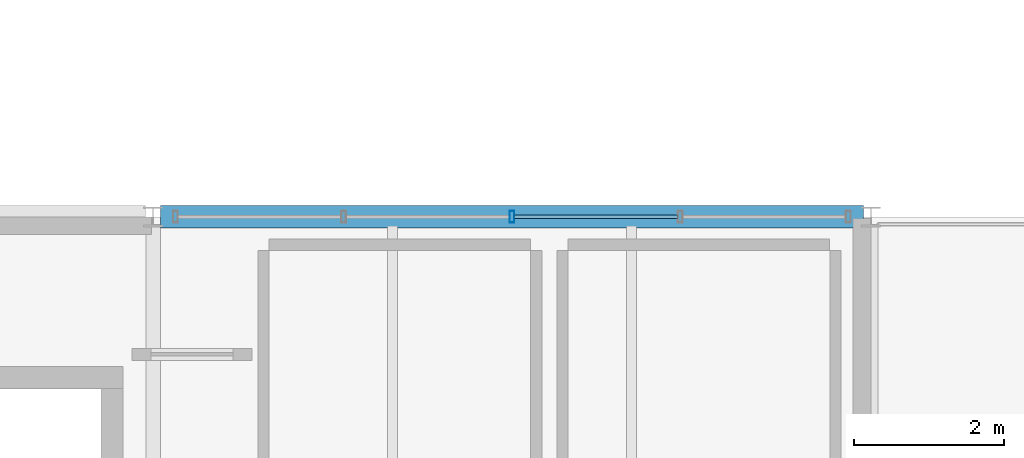
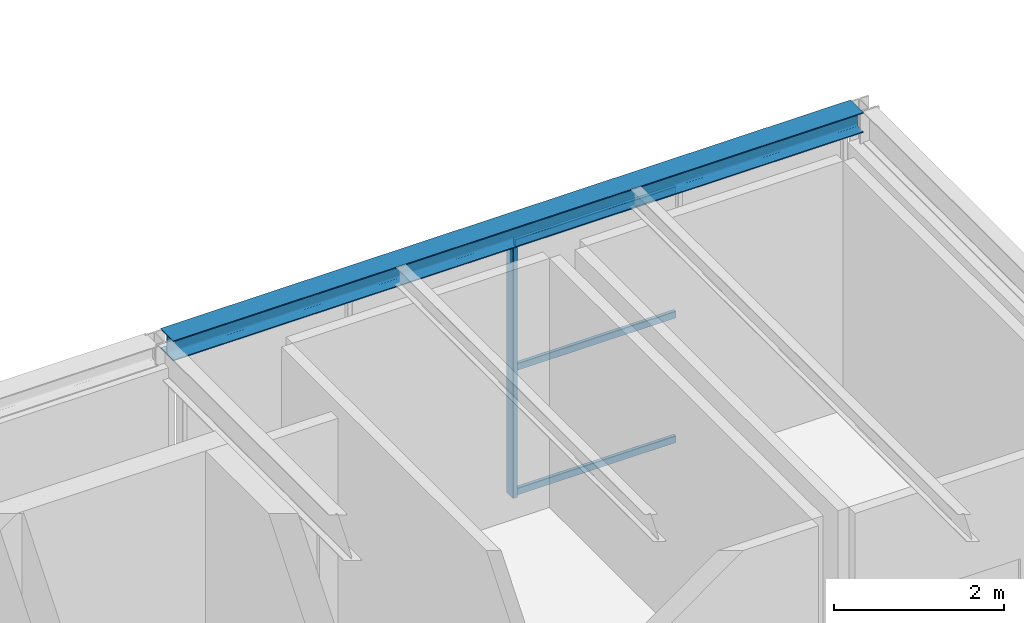
# One storey, part 27 of 39: 4 members, 1 beam, 1 element without a shape of its own.
"""IFC4 building model written with IfcOpenShell, lengths in metres."""

from ifc_helpers import new_model, si_unit, direction, frame, origin, origin_2d, place, context, subcontext, project, spatial, hollow_rectangle, i_section, extrude, material, material_profile, profile_set, type_object, element, aggregate, save


model = new_model("IFC4")

# Units and contexts
model_context = context("Model", 3, precision=1e-05, world=origin(), true_north=direction((0.0, 1.0)))
body_context = subcontext(model_context, "Body", "Model", "MODEL_VIEW")
ifc_project = project(units=[si_unit("LENGTHUNIT", "METRE"), si_unit("AREAUNIT", "SQUARE_METRE"), si_unit("VOLUMEUNIT", "CUBIC_METRE"), si_unit("PLANEANGLEUNIT", "RADIAN"), si_unit("MASSUNIT", "GRAM", prefix="KILO")], contexts=[model_context])

# Site, building, storey
site_placement = place(None, origin())
site = spatial("IfcSite", under=ifc_project, at=site_placement, CompositionType="ELEMENT")
building_placement = place(site_placement, origin())
building = spatial("IfcBuilding", under=site, at=building_placement, Name="Coralgate Yard Interchange", CompositionType="ELEMENT")
storey_placement = place(building_placement, frame((0.0, 0.0, 18.89990234375)))
storey = spatial("IfcBuildingStorey", under=building, at=storey_placement, Name="L04", CompositionType="ELEMENT", Elevation=18.89990234375)

# Beam
ifc_material_1 = material(Name="Structural steel S355J2", Category="steel")
ifc_material_profile_1 = material_profile(ifc_material_1, i_section(OverallWidth=0.300048828125, OverallDepth=0.2900390625, WebThickness=0.008544921875, FlangeThickness=0.013916015625, FilletRadius=0.027099609375, at=origin_2d()), Name="HEA 300")
ifc_profile_set_1 = profile_set([ifc_material_profile_1], Name="Structural steel S355J2")
beam_type = type_object("IfcBeamType", Name="BM-SP-2", PredefinedType="SPANDREL", material=ifc_profile_set_1)
beam_placement = place(storey_placement, frame((57.699462890625, 19.199951171875, 3.80517578125), z_axis=(1.0, 0.0, 0.0), x_axis=(0.0, 1.0, 0.0)))
element("IfcBeam", 1, at=beam_placement, inside=storey, type_object=beam_type, Name="L04 primary grid beam Y2 X6-7", PredefinedType="SPANDREL", context=body_context, shape_type="SweptSolid", body=[
    extrude(i_section(OverallWidth=0.300048828125, OverallDepth=0.2900390625, WebThickness=0.008544921875, FlangeThickness=0.013916015625, FilletRadius=0.027099609375, at=origin_2d()), origin(), (0.0, 0.0, 1.0), 9.401123046875),
])

# Curtain wall, members
ifc_material_2 = material(Name="Anodised coastal aluminium and solar-control low-E glass", Category="aluminium")
curtain_wall_type = type_object("IfcCurtainWallType", Name="CW-CW-L04-A", PredefinedType="NOTDEFINED", material=ifc_material_2)
curtain_wall_placement = place(storey_placement, origin())
curtain_wall = element("IfcCurtainWall", 2, at=curtain_wall_placement, inside=storey, type_object=curtain_wall_type, Name="L04 unitised curtain wall CW-L04-N-06-01", PredefinedType="NOTDEFINED")
ifc_material_3 = material(Name="Anodised coastal aluminium 6063-T6", Category="aluminium")
ifc_material_profile_2 = material_profile(ifc_material_3, hollow_rectangle(XDim=0.06494140625, YDim=0.159912109375, WallThickness=0.00390625, InnerFilletRadius=0.00390625, OuterFilletRadius=0.008056640625, at=origin_2d()), Name="ALU 65x160x4")
ifc_profile_set_2 = profile_set([ifc_material_profile_2], Name="Anodised coastal aluminium 6063-T6")
member_type_1 = type_object("IfcMemberType", Name="MB-MUL-160", PredefinedType="MULLION", material=ifc_profile_set_2)
member_1_placement = place(storey_placement, frame((62.39990234375, 19.199951171875, 0.0), z_axis=(0.0, 0.0, 1.0), x_axis=(1.0, 0.0, 0.0)))
member_1 = element("IfcMember", 3, at=member_1_placement, type_object=member_type_1, Name="CW-L04-N-06-01 vertical mullion 3", PredefinedType="MULLION", context=body_context, shape_type="SweptSolid", body=[
    extrude(hollow_rectangle(XDim=0.06494140625, YDim=0.159912109375, WallThickness=0.00390625, InnerFilletRadius=0.00390625, OuterFilletRadius=0.008056640625, at=origin_2d()), origin(), (0.0, 0.0, 1.0), 3.66015625),
])
ifc_material_profile_3 = material_profile(ifc_material_3, hollow_rectangle(XDim=0.050048828125, YDim=0.10009765625, WallThickness=0.0029296875, InnerFilletRadius=0.0029296875, OuterFilletRadius=0.006103515625, at=origin_2d()), Name="ALU 50x100x3")
ifc_profile_set_3 = profile_set([ifc_material_profile_3], Name="Anodised coastal aluminium 6063-T6")
member_type_2 = type_object("IfcMemberType", Name="MB-TRN-100", PredefinedType="USERDEFINED", material=ifc_profile_set_3)
member_2_placement = place(storey_placement, frame((62.429931640625, 19.199951171875, 0.03515625), z_axis=(1.0, 0.0, 0.0), x_axis=(0.0, 1.0, 0.0)))
member_2 = element("IfcMember", 4, at=member_2_placement, type_object=member_type_2, Name="CW-L04-N-06-01 horizontal transom 3-1", ObjectType="TRANSOM", PredefinedType="USERDEFINED", context=body_context, shape_type="SweptSolid", body=[
    extrude(hollow_rectangle(XDim=0.050048828125, YDim=0.10009765625, WallThickness=0.0029296875, InnerFilletRadius=0.0029296875, OuterFilletRadius=0.006103515625, at=origin_2d()), origin(), (0.0, 0.0, 1.0), 2.190185546875),
])
member_3_placement = place(storey_placement, frame((62.429931640625, 19.199951171875, 1.830078125), z_axis=(1.0, 0.0, 0.0), x_axis=(0.0, 1.0, 0.0)))
member_3 = element("IfcMember", 5, at=member_3_placement, type_object=member_type_2, Name="CW-L04-N-06-01 horizontal transom 3-2", ObjectType="TRANSOM", PredefinedType="USERDEFINED", context=body_context, shape_type="SweptSolid", body=[
    extrude(hollow_rectangle(XDim=0.050048828125, YDim=0.10009765625, WallThickness=0.0029296875, InnerFilletRadius=0.0029296875, OuterFilletRadius=0.006103515625, at=origin_2d()), origin(), (0.0, 0.0, 1.0), 2.190185546875),
])
member_4_placement = place(storey_placement, frame((62.429931640625, 19.199951171875, 3.625), z_axis=(1.0, 0.0, 0.0), x_axis=(0.0, 1.0, 0.0)))
member_4 = element("IfcMember", 6, at=member_4_placement, type_object=member_type_2, Name="CW-L04-N-06-01 horizontal transom 3-3", ObjectType="TRANSOM", PredefinedType="USERDEFINED", context=body_context, shape_type="SweptSolid", body=[
    extrude(hollow_rectangle(XDim=0.050048828125, YDim=0.10009765625, WallThickness=0.0029296875, InnerFilletRadius=0.0029296875, OuterFilletRadius=0.006103515625, at=origin_2d()), origin(), (0.0, 0.0, 1.0), 2.190185546875),
])
aggregate(curtain_wall, [member_1, member_2, member_3, member_4])

save(model, "model.ifc")
